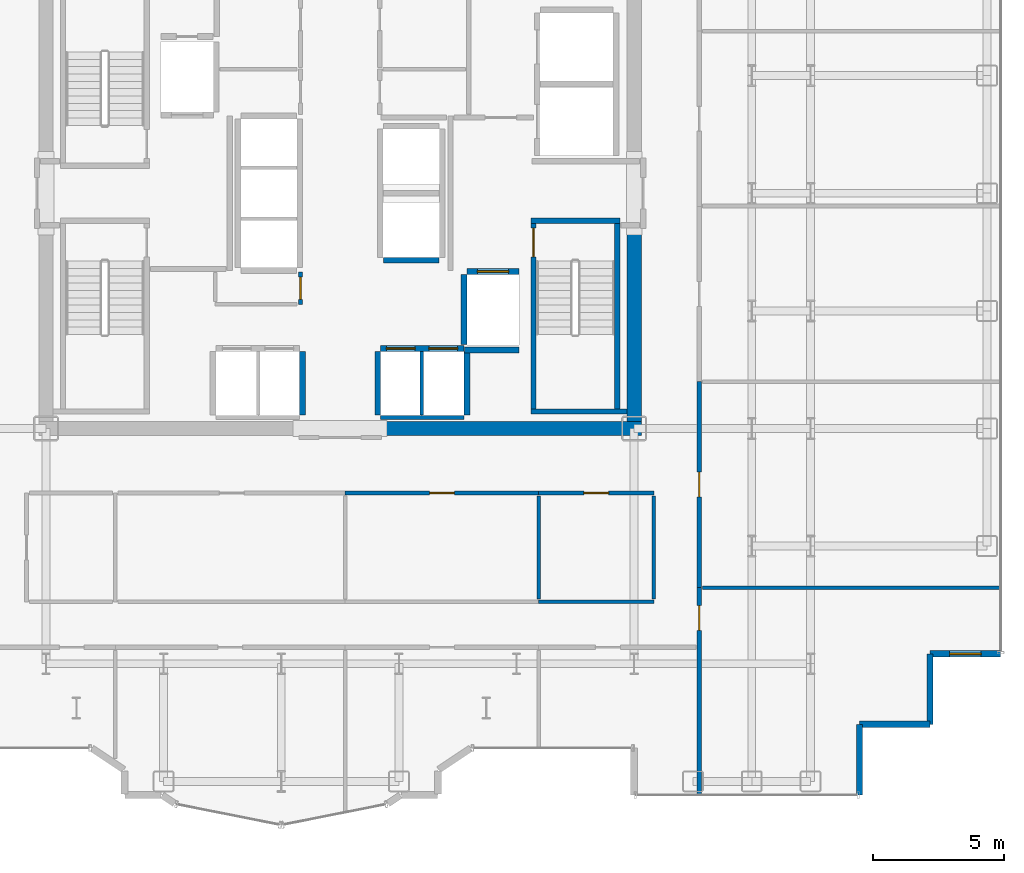
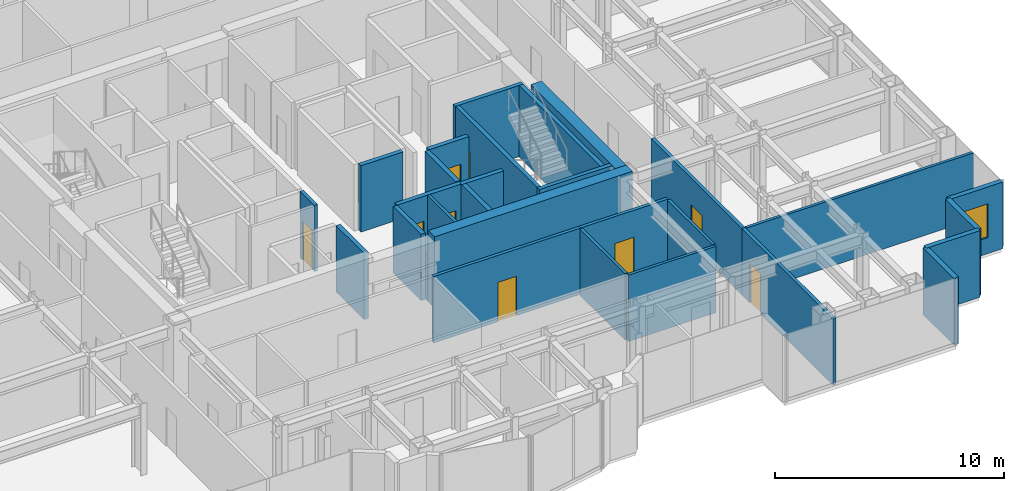
# One storey, part 19 of 23: 29 walls, 9 doors, 1 window, 10 openings.
"""IFC4 building model written with IfcOpenShell, lengths in metres."""

from ifc_helpers import new_model, si_unit, direction, frame, frame_2d, origin, place, context, subcontext, project, spatial, rectangle, extrude, source, transform, mapped, material, layer, layer_set, type_object, element, fill, save


model = new_model("IFC4")

# Units and contexts
model_context = context("Model", 3, precision=1e-05, world=origin(), true_north=direction((0.0, 1.0)))
body_context = subcontext(model_context, "Body", "Model", "MODEL_VIEW")
ifc_project = project(units=[si_unit("LENGTHUNIT", "METRE"), si_unit("AREAUNIT", "SQUARE_METRE"), si_unit("VOLUMEUNIT", "CUBIC_METRE"), si_unit("PLANEANGLEUNIT", "RADIAN"), si_unit("MASSUNIT", "GRAM", prefix="KILO")], contexts=[model_context])

# Site, building, storey
site_placement = place(None, origin())
site = spatial("IfcSite", under=ifc_project, at=site_placement, CompositionType="ELEMENT")
building_placement = place(site_placement, origin())
building = spatial("IfcBuilding", under=site, at=building_placement, Name="Nefas-Gora Pilgrimage Tower", CompositionType="ELEMENT")
storey_placement = place(building_placement, frame((0.0, 0.0, 167.800048828125)))
storey = spatial("IfcBuildingStorey", under=building, at=storey_placement, Name="L41", CompositionType="ELEMENT", Elevation=167.800048828125)

# Walls
ifc_material_1 = material(Name="Concrete C60/75", Category="concrete")
ifc_layer_1 = layer(ifc_material_1, 0.550048828125)
ifc_layer_set_1 = layer_set([ifc_layer_1], Name="Concrete C60/75")
wall_type_1 = type_object("IfcWallType", Name="SW-CORE-550", PredefinedType="SHEAR", material=ifc_layer_set_1)
shared_shape_1 = source(origin(), body_context, "Body", "SweptSolid", [
    extrude(rectangle(XDim=9.974853515625, YDim=0.550048828125, at=frame_2d((4.9873046875, 0.0))), origin(), (0.0, 0.0, 1.0), 3.800048828125),
])
wall_1_placement = place(storey_placement, frame((1.550048828125, -9.0, 0.0), z_axis=(0.0, 0.0, 1.0), x_axis=(1.0, 0.0, 0.0)))
element("IfcWall", 1, at=wall_1_placement, inside=storey, type_object=wall_type_1, Name="L41 Core Shear Wall S-East", PredefinedType="SHEAR", context=body_context, shape_type="MappedRepresentation", body=[
    mapped(shared_shape_1, transform((0.0, 0.0, 0.0), x_axis=(1.0, 0.0, 0.0), y_axis=(0.0, 1.0, 0.0), z_axis=(0.0, 0.0, 1.0), scale=1.0)),
])
shared_shape_2 = source(origin(), body_context, "Body", "SweptSolid", [
    extrude(rectangle(XDim=7.375, YDim=0.550048828125, at=frame_2d((3.6875, 0.0))), origin(), (0.0, 0.0, 1.0), 3.800048828125),
])
wall_2_placement = place(storey_placement, frame((11.25, -8.72509765625, 0.0), z_axis=(0.0, 0.0, 1.0), x_axis=(0.0, 1.0, 0.0)))
element("IfcWall", 2, at=wall_2_placement, inside=storey, type_object=wall_type_1, Name="L41 Core Shear Wall E-South", PredefinedType="SHEAR", context=body_context, shape_type="MappedRepresentation", body=[
    mapped(shared_shape_2, transform((0.0, 0.0, 0.0), x_axis=(1.0, 0.0, 0.0), y_axis=(0.0, 1.0, 0.0), z_axis=(0.0, 0.0, 1.0), scale=1.0)),
])
ifc_material_2 = material(Name="Precast concrete C45/55", Category="concrete")
ifc_layer_2 = layer(ifc_material_2, 0.239990234375)
ifc_layer_set_2 = layer_set([ifc_layer_2], Name="Precast concrete C45/55")
wall_type_2 = type_object("IfcWallType", Name="EW-SERR-240", PredefinedType="SHEAR", material=ifc_layer_set_2)
shared_shape_3 = source(origin(), body_context, "Body", "SweptSolid", [
    extrude(rectangle(XDim=2.699951171875, YDim=0.239990234375, at=frame_2d((1.35009765625, 0.0))), origin(), (0.0, 0.0, 1.0), 3.550048828125),
])
for number, where, z_axis, x_axis, name in (
    (3, (19.8701171875, -23.02001953125, 0.0), (0.0, 0.0, 1.0), (0.0, 1.0, 0.0), "L41 Serrated Corner Shear Pier Wall 2"),
    (4, (19.8701171875, -20.320068359375, 0.0), (0.0, 0.0, 1.0), (1.0, 0.0, 0.0), "L41 Serrated Corner Shear Pier Wall 3"),
    (5, (22.570068359375, -20.320068359375, 0.0), (0.0, 0.0, 1.0), (0.0, 1.0, 0.0), "L41 Serrated Corner Shear Pier Wall 4"),
):
    element("IfcWall", number, at=place(storey_placement, frame(where, z_axis=z_axis, x_axis=x_axis)), inside=storey, type_object=wall_type_2, Name=name, PredefinedType="SHEAR", context=body_context, shape_type="MappedRepresentation", body=[
        mapped(shared_shape_3, transform((0.0, 0.0, 0.0), x_axis=(1.0, 0.0, 0.0), y_axis=(0.0, 1.0, 0.0), z_axis=(0.0, 0.0, 1.0), scale=1.0)),
    ])

# Wall, opening, window
wall_3_placement = place(storey_placement, frame((22.570068359375, -17.6201171875, 0.0), z_axis=(0.0, 0.0, 1.0), x_axis=(1.0, 0.0, 0.0)))
wall_3 = element("IfcWall", 6, at=wall_3_placement, inside=storey, type_object=wall_type_2, Name="L41 Serrated Corner Shear Pier Wall 5", PredefinedType="SHEAR", context=body_context, shape_type="MappedRepresentation", body=[
    mapped(shared_shape_3, transform((0.0, 0.0, 0.0), x_axis=(1.0, 0.0, 0.0), y_axis=(0.0, 1.0, 0.0), z_axis=(0.0, 0.0, 1.0), scale=1.0)),
])
opening_1_placement = place(wall_3_placement, frame((0.75, 0.0, 0.85009765625)))
opening_1 = element("IfcOpeningElement", 7, at=opening_1_placement, cuts=wall_3, Name="Opening W-V1", PredefinedType="OPENING", context=body_context, shape_type="SweptSolid", body=[
    extrude(rectangle(XDim=1.199951171875, YDim=1.800048828125, at=frame_2d((0.60009765625, 0.89990234375))), frame((0.0, 0.1298828125, 0.0), z_axis=(0.0, -1.0, 0.0), x_axis=(1.0, 0.0, 0.0)), (0.0, 0.0, 1.0), 0.260009765625),
])
ifc_material_3 = material(Name="Dark ceramic-fritted operable aluminium-glass window", Category="aluminium")
window_type = type_object("IfcWindowType", Name="WIN-VENT-1200x1800", PartitioningType="SINGLE_PANEL", PredefinedType="WINDOW", material=ifc_material_3)
shared_shape_4 = source(origin(), body_context, "Body", "SweptSolid", [
    extrude(rectangle(XDim=1.199951171875, YDim=1.800048828125, at=frame_2d((0.60009765625, 0.89990234375))), frame((0.0, 0.030029296875, 0.0), z_axis=(0.0, -1.0, 0.0), x_axis=(1.0, 0.0, 0.0)), (0.0, 0.0, 1.0), 0.06005859375),
])
window_placement = place(opening_1_placement, origin())
window = element("IfcWindow", 8, at=window_placement, inside=storey, type_object=window_type, Name="L41 Operable Parallel-Outswing Window 5", OverallHeight=1.800048828125, OverallWidth=1.199951171875, PartitioningType="SINGLE_PANEL", PredefinedType="WINDOW", context=body_context, shape_type="MappedRepresentation", body=[
    mapped(shared_shape_4, transform((0.0, 0.0, 0.0), x_axis=(1.0, 0.0, 0.0), y_axis=(0.0, 1.0, 0.0), z_axis=(0.0, 0.0, 1.0), scale=1.0)),
])
fill(opening_1, window)

# Wall
ifc_material_4 = material(Name="Concrete C45/55", Category="concrete")
ifc_layer_3 = layer(ifc_material_4, 0.199951171875)
ifc_layer_set_3 = layer_set([ifc_layer_3], Name="Concrete C45/55")
wall_type_3 = type_object("IfcWallType", Name="IW-STAIR-200", PredefinedType="SOLIDWALL", material=ifc_layer_set_3)
shared_shape_5 = source(origin(), body_context, "Body", "SweptSolid", [
    extrude(rectangle(XDim=3.39990234375, YDim=0.199951171875, at=frame_2d((1.699951171875, 0.0))), origin(), (0.0, 0.0, 1.0), 3.800048828125),
])
wall_4_placement = place(storey_placement, frame((7.300048828125, -1.050048828125, 0.0), z_axis=(0.0, 0.0, 1.0), x_axis=(1.0, 0.0, 0.0)))
element("IfcWall", 9, at=wall_4_placement, inside=storey, type_object=wall_type_3, Name="L41 Stairwell Shear Wall ST-02-near", PredefinedType="SOLIDWALL", context=body_context, shape_type="MappedRepresentation", body=[
    mapped(shared_shape_5, transform((0.0, 0.0, 0.0), x_axis=(1.0, 0.0, 0.0), y_axis=(0.0, 1.0, 0.0), z_axis=(0.0, 0.0, 1.0), scale=1.0)),
])

# Wall, opening, door
shared_shape_6 = source(origin(), body_context, "Body", "SweptSolid", [
    extrude(rectangle(XDim=7.10009765625, YDim=0.199951171875, at=frame_2d((3.550048828125, 0.0))), origin(), (0.0, 0.0, 1.0), 3.800048828125),
])
wall_5_placement = place(storey_placement, frame((7.39990234375, -1.14990234375, 0.0), z_axis=(0.0, 0.0, 1.0), x_axis=(0.0, -1.0, 0.0)))
wall_5 = element("IfcWall", 10, at=wall_5_placement, inside=storey, type_object=wall_type_3, Name="L41 Stairwell Shear Wall ST-02-left", PredefinedType="SOLIDWALL", context=body_context, shape_type="MappedRepresentation", body=[
    mapped(shared_shape_6, transform((0.0, 0.0, 0.0), x_axis=(1.0, 0.0, 0.0), y_axis=(0.0, 1.0, 0.0), z_axis=(0.0, 0.0, 1.0), scale=1.0)),
])
opening_2_placement = place(wall_5_placement, frame((0.179931640625, 0.0, 0.0)))
opening_2 = element("IfcOpeningElement", 11, at=opening_2_placement, cuts=wall_5, Name="Opening ID-ST1", PredefinedType="OPENING", context=body_context, shape_type="SweptSolid", body=[
    extrude(rectangle(XDim=1.10009765625, YDim=2.14990234375, at=frame_2d((0.550048828125, 1.074951171875))), frame((0.0, 0.10986328125, 0.0), z_axis=(0.0, -1.0, 0.0), x_axis=(1.0, 0.0, 0.0)), (0.0, 0.0, 1.0), 0.219970703125),
])
ifc_material_5 = material(Name="Painted galvanised steel fire stair door", Category="steel")
door_type_1 = type_object("IfcDoorType", Name="DR-INT-STAIR-1100", OperationType="NOTDEFINED", PredefinedType="DOOR", material=ifc_material_5)
shared_shape_7 = source(origin(), body_context, "Body", "SweptSolid", [
    extrude(rectangle(XDim=1.10009765625, YDim=2.14990234375, at=frame_2d((0.550048828125, 1.074951171875))), frame((0.0, 0.02490234375, 0.0), z_axis=(0.0, -1.0, 0.0), x_axis=(1.0, 0.0, 0.0)), (0.0, 0.0, 1.0), 0.050048828125),
])
door_1_placement = place(opening_2_placement, origin())
door_1 = element("IfcDoor", 12, at=door_1_placement, inside=storey, type_object=door_type_1, Name="L41 Protected Exit Stair Door ST-02", OperationType="SINGLE_SWING_RIGHT", OverallHeight=2.14990234375, OverallWidth=1.10009765625, PredefinedType="DOOR", context=body_context, shape_type="MappedRepresentation", body=[
    mapped(shared_shape_7, transform((0.0, 0.0, 0.0), x_axis=(1.0, 0.0, 0.0), y_axis=(0.0, 1.0, 0.0), z_axis=(0.0, 0.0, 1.0), scale=1.0)),
])
fill(opening_2, door_1)

# Walls
wall_6_placement = place(storey_placement, frame((10.60009765625, -1.14990234375, 0.0), z_axis=(0.0, 0.0, 1.0), x_axis=(0.0, -1.0, 0.0)))
element("IfcWall", 13, at=wall_6_placement, inside=storey, type_object=wall_type_3, Name="L41 Stairwell Shear Wall ST-02-right", PredefinedType="SOLIDWALL", context=body_context, shape_type="MappedRepresentation", body=[
    mapped(shared_shape_6, transform((0.0, 0.0, 0.0), x_axis=(1.0, 0.0, 0.0), y_axis=(0.0, 1.0, 0.0), z_axis=(0.0, 0.0, 1.0), scale=1.0)),
])
shared_shape_8 = source(origin(), body_context, "Body", "SweptSolid", [
    extrude(rectangle(XDim=3.679931640625, YDim=0.199951171875, at=frame_2d((1.83984375, 0.0))), origin(), (0.0, 0.0, 1.0), 3.800048828125),
])
wall_7_placement = place(storey_placement, frame((7.300048828125, -8.35009765625, 0.0), z_axis=(0.0, 0.0, 1.0), x_axis=(1.0, 0.0, 0.0)))
element("IfcWall", 14, at=wall_7_placement, inside=storey, type_object=wall_type_3, Name="L41 Stairwell Shear Wall ST-02-far", PredefinedType="SOLIDWALL", context=body_context, shape_type="MappedRepresentation", body=[
    mapped(shared_shape_8, transform((0.0, 0.0, 0.0), x_axis=(1.0, 0.0, 0.0), y_axis=(0.0, 1.0, 0.0), z_axis=(0.0, 0.0, 1.0), scale=1.0)),
])

# Wall, opening, door
ifc_material_6 = material(Name="Concrete C40/50", Category="concrete")
ifc_layer_4 = layer(ifc_material_6, 0.219970703125)
ifc_layer_set_4 = layer_set([ifc_layer_4], Name="Concrete C40/50")
wall_type_4 = type_object("IfcWallType", Name="IW-SHAFT-220", PredefinedType="SOLIDWALL", material=ifc_layer_set_4)
shared_shape_9 = source(origin(), body_context, "Body", "SweptSolid", [
    extrude(rectangle(XDim=2.0, YDim=0.219970703125, at=frame_2d((1.0, 0.0))), origin(), (0.0, 0.0, 1.0), 3.534912109375),
])
wall_8_placement = place(storey_placement, frame((6.85009765625, -2.989990234375, 0.0), z_axis=(0.0, 0.0, 1.0), x_axis=(-1.0, 0.0, 0.0)))
wall_8 = element("IfcWall", 15, at=wall_8_placement, inside=storey, type_object=wall_type_4, Name="L41 Hoistway Wall FFL-02-N", PredefinedType="SOLIDWALL", context=body_context, shape_type="MappedRepresentation", body=[
    mapped(shared_shape_9, transform((0.0, 0.0, 0.0), x_axis=(1.0, 0.0, 0.0), y_axis=(0.0, 1.0, 0.0), z_axis=(0.0, 0.0, 1.0), scale=1.0)),
])
opening_3_placement = place(wall_8_placement, frame((0.39990234375, 0.0, 0.0)))
opening_3 = element("IfcOpeningElement", 16, at=opening_3_placement, cuts=wall_8, Name="Opening LD-FF", PredefinedType="OPENING", context=body_context, shape_type="SweptSolid", body=[
    extrude(rectangle(XDim=1.199951171875, YDim=2.199951171875, at=frame_2d((0.60009765625, 1.10009765625))), frame((0.0, 0.119873046875, 0.0), z_axis=(0.0, -1.0, 0.0), x_axis=(1.0, 0.0, 0.0)), (0.0, 0.0, 1.0), 0.239990234375),
])
ifc_material_7 = material(Name="Fire-service sliding lift landing door")
door_type_2 = type_object("IfcDoorType", Name="DR-LIFT-FSAE-1200", OperationType="SLIDING_TO_LEFT", PredefinedType="DOOR", material=ifc_material_7)
shared_shape_10 = source(origin(), body_context, "Body", "SweptSolid", [
    extrude(rectangle(XDim=1.199951171875, YDim=2.199951171875, at=frame_2d((0.60009765625, 1.10009765625))), frame((0.0, 0.02490234375, 0.0), z_axis=(0.0, -1.0, 0.0), x_axis=(1.0, 0.0, 0.0)), (0.0, 0.0, 1.0), 0.050048828125),
])
door_2_placement = place(opening_3_placement, origin())
door_2 = element("IfcDoor", 17, at=door_2_placement, inside=storey, type_object=door_type_2, Name="L41 Sliding Lift Landing Door FFL-02", OperationType="SLIDING_TO_LEFT", OverallHeight=2.199951171875, OverallWidth=1.199951171875, PredefinedType="DOOR", context=body_context, shape_type="MappedRepresentation", body=[
    mapped(shared_shape_10, transform((0.0, 0.0, 0.0), x_axis=(1.0, 0.0, 0.0), y_axis=(0.0, 1.0, 0.0), z_axis=(0.0, 0.0, 1.0), scale=1.0)),
])
fill(opening_3, door_2)

# Wall
shared_shape_11 = source(origin(), body_context, "Body", "SweptSolid", [
    extrude(rectangle(XDim=2.679931640625, YDim=0.219970703125, at=frame_2d((1.33984375, 0.0))), origin(), (0.0, 0.0, 1.0), 3.534912109375),
])
wall_9_placement = place(storey_placement, frame((4.739990234375, -3.110107421875, 0.0), z_axis=(0.0, 0.0, 1.0), x_axis=(0.0, -1.0, 0.0)))
element("IfcWall", 18, at=wall_9_placement, inside=storey, type_object=wall_type_4, Name="L41 Hoistway Wall FFL-02-W", PredefinedType="SOLIDWALL", context=body_context, shape_type="MappedRepresentation", body=[
    mapped(shared_shape_11, transform((0.0, 0.0, 0.0), x_axis=(1.0, 0.0, 0.0), y_axis=(0.0, 1.0, 0.0), z_axis=(0.0, 0.0, 1.0), scale=1.0)),
])

# Wall, openings, doors
shared_shape_12 = source(origin(), body_context, "Body", "SweptSolid", [
    extrude(rectangle(XDim=3.199951171875, YDim=0.219970703125, at=frame_2d((1.60009765625, 0.0))), origin(), (0.0, 0.0, 1.0), 3.534912109375),
])
wall_10_placement = place(storey_placement, frame((4.75, -5.93994140625, 0.0), z_axis=(0.0, 0.0, 1.0), x_axis=(-1.0, 0.0, 0.0)))
wall_10 = element("IfcWall", 19, at=wall_10_placement, inside=storey, type_object=wall_type_4, Name="L41 Hoistway Wall PL2-E-N", PredefinedType="SOLIDWALL", context=body_context, shape_type="MappedRepresentation", body=[
    mapped(shared_shape_12, transform((0.0, 0.0, 0.0), x_axis=(1.0, 0.0, 0.0), y_axis=(0.0, 1.0, 0.0), z_axis=(0.0, 0.0, 1.0), scale=1.0)),
])
opening_4_placement = place(wall_10_placement, frame((1.875, 0.0, 0.0)))
opening_4 = element("IfcOpeningElement", 20, at=opening_4_placement, cuts=wall_10, Name="Opening LD-01", PredefinedType="OPENING", context=body_context, shape_type="SweptSolid", body=[
    extrude(rectangle(XDim=1.10009765625, YDim=2.199951171875, at=frame_2d((0.550048828125, 1.10009765625))), frame((0.0, 0.119873046875, 0.0), z_axis=(0.0, -1.0, 0.0), x_axis=(1.0, 0.0, 0.0)), (0.0, 0.0, 1.0), 0.239990234375),
])
opening_5_placement = place(wall_10_placement, frame((0.25, 0.0, 0.0)))
opening_5 = element("IfcOpeningElement", 21, at=opening_5_placement, cuts=wall_10, Name="Opening LD-01", PredefinedType="OPENING", context=body_context, shape_type="SweptSolid", body=[
    extrude(rectangle(XDim=1.10009765625, YDim=2.199951171875, at=frame_2d((0.550048828125, 1.10009765625))), frame((0.0, 0.119873046875, 0.0), z_axis=(0.0, -1.0, 0.0), x_axis=(1.0, 0.0, 0.0)), (0.0, 0.0, 1.0), 0.239990234375),
])
ifc_material_8 = material(Name="Brushed stainless sliding lift landing door")
door_type_3 = type_object("IfcDoorType", Name="DR-LIFT-PASS-1100", OperationType="DOUBLE_DOOR_SLIDING", PredefinedType="DOOR", material=ifc_material_8)
shared_shape_13 = source(origin(), body_context, "Body", "SweptSolid", [
    extrude(rectangle(XDim=1.10009765625, YDim=2.199951171875, at=frame_2d((0.550048828125, 1.10009765625))), frame((0.0, 0.02490234375, 0.0), z_axis=(0.0, -1.0, 0.0), x_axis=(1.0, 0.0, 0.0)), (0.0, 0.0, 1.0), 0.050048828125),
])
door_3_placement = place(opening_4_placement, origin())
door_3 = element("IfcDoor", 22, at=door_3_placement, inside=storey, type_object=door_type_3, Name="L41 Sliding Lift Landing Door PL2-03", OperationType="DOUBLE_DOOR_SLIDING", OverallHeight=2.199951171875, OverallWidth=1.10009765625, PredefinedType="DOOR", context=body_context, shape_type="MappedRepresentation", body=[
    mapped(shared_shape_13, transform((0.0, 0.0, 0.0), x_axis=(1.0, 0.0, 0.0), y_axis=(0.0, 1.0, 0.0), z_axis=(0.0, 0.0, 1.0), scale=1.0)),
])
fill(opening_4, door_3)
door_4_placement = place(opening_5_placement, origin())
door_4 = element("IfcDoor", 23, at=door_4_placement, inside=storey, type_object=door_type_3, Name="L41 Sliding Lift Landing Door PL2-04", OperationType="DOUBLE_DOOR_SLIDING", OverallHeight=2.199951171875, OverallWidth=1.10009765625, PredefinedType="DOOR", context=body_context, shape_type="MappedRepresentation", body=[
    mapped(shared_shape_13, transform((0.0, 0.0, 0.0), x_axis=(1.0, 0.0, 0.0), y_axis=(0.0, 1.0, 0.0), z_axis=(0.0, 0.0, 1.0), scale=1.0)),
])
fill(opening_5, door_4)

# Walls
ifc_material_9 = material(Name="Gypsum acoustic stud partition")
ifc_layer_5 = layer(ifc_material_9, 0.159912109375)
ifc_layer_set_5 = layer_set([ifc_layer_5], Name="Gypsum acoustic stud partition")
wall_type_5 = type_object("IfcWallType", Name="IW-CORR-160", PredefinedType="PARTITIONING", material=ifc_layer_set_5)
shared_shape_14 = source(origin(), body_context, "Body", "SweptSolid", [
    extrude(rectangle(XDim=3.199951171875, YDim=0.159912109375, at=frame_2d((1.60009765625, 0.0))), origin(), (0.0, 0.0, 1.0), 2.425048828125),
])
wall_11_placement = place(storey_placement, frame((1.550048828125, -8.580078125, 0.0), z_axis=(0.0, 0.0, 1.0), x_axis=(1.0, 0.0, 0.0)))
element("IfcWall", 24, at=wall_11_placement, inside=storey, type_object=wall_type_5, Name="L41 Hoistway Wall PL2-E-S", PredefinedType="PARTITIONING", context=body_context, shape_type="MappedRepresentation", body=[
    mapped(shared_shape_14, transform((0.0, 0.0, 0.0), x_axis=(1.0, 0.0, 0.0), y_axis=(0.0, 1.0, 0.0), z_axis=(0.0, 0.0, 1.0), scale=1.0)),
])
shared_shape_15 = source(origin(), body_context, "Body", "SweptSolid", [
    extrude(rectangle(XDim=2.429931640625, YDim=0.219970703125, at=frame_2d((1.21484375, 0.0))), origin(), (0.0, 0.0, 1.0), 3.534912109375),
])
for number, where, z_axis, x_axis, name in (
    (25, (-1.43994140625, -8.489990234375, 0.0), (0.0, 0.0, 1.0), (0.0, 1.0, 0.0), "L41 Hoistway Wall PL2-W-E"),
    (26, (1.43994140625, -6.06005859375, 0.0), (0.0, 0.0, 1.0), (0.0, -1.0, 0.0), "L41 Hoistway Wall PL2-E-W"),
    (27, (4.860107421875, -8.489990234375, 0.0), (0.0, 0.0, 1.0), (0.0, 1.0, 0.0), "L41 Hoistway Wall PL2-E-E"),
):
    element("IfcWall", number, at=place(storey_placement, frame(where, z_axis=z_axis, x_axis=x_axis)), inside=storey, type_object=wall_type_4, Name=name, PredefinedType="SOLIDWALL", context=body_context, shape_type="MappedRepresentation", body=[
        mapped(shared_shape_15, transform((0.0, 0.0, 0.0), x_axis=(1.0, 0.0, 0.0), y_axis=(0.0, 1.0, 0.0), z_axis=(0.0, 0.0, 1.0), scale=1.0)),
    ])
ifc_material_10 = material(Name="Gypsum twin-stud partition")
ifc_layer_6 = layer(ifc_material_10, 0.139892578125)
ifc_layer_set_6 = layer_set([ifc_layer_6], Name="Gypsum twin-stud partition")
wall_type_6 = type_object("IfcWallType", Name="IW-UNIT-140", PredefinedType="PARTITIONING", material=ifc_layer_set_6)
shared_shape_16 = source(origin(), body_context, "Body", "SweptSolid", [
    extrude(rectangle(XDim=2.429931640625, YDim=0.139892578125, at=frame_2d((1.21484375, 0.0))), origin(), (0.0, 0.0, 1.0), 3.534912109375),
])
wall_12_placement = place(storey_placement, frame((3.125, -8.489990234375, 0.0), z_axis=(0.0, 0.0, 1.0), x_axis=(0.0, 1.0, 0.0)))
element("IfcWall", 28, at=wall_12_placement, inside=storey, type_object=wall_type_6, Name="L41 Hoistway Wall PL2-E-DIV", PredefinedType="PARTITIONING", context=body_context, shape_type="MappedRepresentation", body=[
    mapped(shared_shape_16, transform((0.0, 0.0, 0.0), x_axis=(1.0, 0.0, 0.0), y_axis=(0.0, 1.0, 0.0), z_axis=(0.0, 0.0, 1.0), scale=1.0)),
])
shared_shape_17 = source(origin(), body_context, "Body", "SweptSolid", [
    extrude(rectangle(XDim=2.130126953125, YDim=0.219970703125, at=frame_2d((1.06494140625, 0.0))), origin(), (0.0, 0.0, 1.0), 3.534912109375),
])
wall_13_placement = place(storey_placement, frame((1.659912109375, -2.56005859375, 0.0), z_axis=(0.0, 0.0, 1.0), x_axis=(1.0, 0.0, 0.0)))
element("IfcWall", 29, at=wall_13_placement, inside=storey, type_object=wall_type_4, Name="L41 Hoistway Wall OBS-01-S", PredefinedType="SOLIDWALL", context=body_context, shape_type="MappedRepresentation", body=[
    mapped(shared_shape_17, transform((0.0, 0.0, 0.0), x_axis=(1.0, 0.0, 0.0), y_axis=(0.0, 1.0, 0.0), z_axis=(0.0, 0.0, 1.0), scale=1.0)),
])
shared_shape_18 = source(origin(), body_context, "Body", "SweptSolid", [
    extrude(rectangle(XDim=2.09521484375, YDim=0.219970703125, at=frame_2d((1.047607421875, 0.0))), origin(), (0.0, 0.0, 1.0), 3.534912109375),
])
wall_14_placement = place(storey_placement, frame((4.7548828125, -6.0, 0.0), z_axis=(0.0, 0.0, 1.0), x_axis=(1.0, 0.0, 0.0)))
element("IfcWall", 30, at=wall_14_placement, inside=storey, type_object=wall_type_4, Name="L41 Riser Shaft Wall 3", PredefinedType="SOLIDWALL", context=body_context, shape_type="MappedRepresentation", body=[
    mapped(shared_shape_18, transform((0.0, 0.0, 0.0), x_axis=(1.0, 0.0, 0.0), y_axis=(0.0, 1.0, 0.0), z_axis=(0.0, 0.0, 1.0), scale=1.0)),
])

# Wall, opening, door
shared_shape_19 = source(origin(), body_context, "Body", "SweptSolid", [
    extrude(rectangle(XDim=1.25, YDim=0.159912109375, at=frame_2d((0.625, 0.0))), origin(), (0.0, 0.0, 1.0), 3.534912109375),
])
wall_15_placement = place(storey_placement, frame((-1.52001953125, -4.260009765625, 0.0), z_axis=(0.0, 0.0, 1.0), x_axis=(0.0, 1.0, 0.0)))
wall_15 = element("IfcWall", 31, at=wall_15_placement, inside=storey, type_object=wall_type_5, Name="L41 Guest Self-Service Laundry Room Wall 26", PredefinedType="PARTITIONING", context=body_context, shape_type="MappedRepresentation", body=[
    mapped(shared_shape_19, transform((0.0, 0.0, 0.0), x_axis=(1.0, 0.0, 0.0), y_axis=(0.0, 1.0, 0.0), z_axis=(0.0, 0.0, 1.0), scale=1.0)),
])
opening_6_placement = place(wall_15_placement, frame((0.199951171875, 0.0, 0.0)))
opening_6 = element("IfcOpeningElement", 32, at=opening_6_placement, cuts=wall_15, Name="Opening ID-BT1", PredefinedType="OPENING", context=body_context, shape_type="SweptSolid", body=[
    extrude(rectangle(XDim=0.85009765625, YDim=2.10009765625, at=frame_2d((0.425048828125, 1.050048828125))), frame((0.0, 0.08984375, 0.0), z_axis=(0.0, -1.0, 0.0), x_axis=(1.0, 0.0, 0.0)), (0.0, 0.0, 1.0), 0.179931640625),
])
ifc_material_11 = material(Name="Moisture-resistant fire-rated timber door", Category="wood")
door_type_4 = type_object("IfcDoorType", Name="DR-INT-BATH-850", OperationType="NOTDEFINED", PredefinedType="DOOR", material=ifc_material_11)
shared_shape_20 = source(origin(), body_context, "Body", "SweptSolid", [
    extrude(rectangle(XDim=0.85009765625, YDim=2.10009765625, at=frame_2d((0.425048828125, 1.050048828125))), frame((0.0, 0.02490234375, 0.0), z_axis=(0.0, -1.0, 0.0), x_axis=(1.0, 0.0, 0.0)), (0.0, 0.0, 1.0), 0.050048828125),
])
door_5_placement = place(opening_6_placement, origin())
door_5 = element("IfcDoor", 33, at=door_5_placement, inside=storey, type_object=door_type_4, Name="L41 Guest Self-Service Laundry Room Door 11", OperationType="SINGLE_SWING_RIGHT", OverallHeight=2.10009765625, OverallWidth=0.85009765625, PredefinedType="DOOR", context=body_context, shape_type="MappedRepresentation", body=[
    mapped(shared_shape_20, transform((0.0, 0.0, 0.0), x_axis=(1.0, 0.0, 0.0), y_axis=(0.0, 1.0, 0.0), z_axis=(0.0, 0.0, 1.0), scale=1.0)),
])
fill(opening_6, door_5)

# Walls
shared_shape_21 = source(origin(), body_context, "Body", "SweptSolid", [
    extrude(rectangle(XDim=11.429931640625, YDim=0.139892578125, at=frame_2d((5.71484375, 0.0))), origin(), (0.0, 0.0, 1.0), 3.534912109375),
])
wall_16_placement = place(storey_placement, frame((13.860107421875, -15.097412109375, 0.0), z_axis=(0.0, 0.0, 1.0), x_axis=(1.0, 0.0, 0.0)))
element("IfcWall", 34, at=wall_16_placement, inside=storey, type_object=wall_type_6, Name="L41 Pilgrim Contemplative Lounge Partition Wall 42", PredefinedType="PARTITIONING", context=body_context, shape_type="MappedRepresentation", body=[
    mapped(shared_shape_21, transform((0.0, 0.0, 0.0), x_axis=(1.0, 0.0, 0.0), y_axis=(0.0, 1.0, 0.0), z_axis=(0.0, 0.0, 1.0), scale=1.0)),
])
shared_shape_22 = source(origin(), body_context, "Body", "SweptSolid", [
    extrude(rectangle(XDim=3.929931640625, YDim=0.139892578125, at=frame_2d((1.96484375, 0.0))), origin(), (0.0, 0.0, 1.0), 3.534912109375),
])
for number, where, z_axis, x_axis, name in (
    (35, (7.594970703125, -15.52001953125, 0.0), (0.0, 0.0, 1.0), (0.0, 1.0, 0.0), "L41 Pilgrim Contemplative Lounge Partition Wall 83"),
    (36, (12.0, -15.52001953125, 0.0), (0.0, 0.0, 1.0), (0.0, 1.0, 0.0), "L41 Pilgrim Contemplative Lounge Partition Wall 87"),
):
    element("IfcWall", number, at=place(storey_placement, frame(where, z_axis=z_axis, x_axis=x_axis)), inside=storey, type_object=wall_type_6, Name=name, PredefinedType="PARTITIONING", context=body_context, shape_type="MappedRepresentation", body=[
        mapped(shared_shape_22, transform((0.0, 0.0, 0.0), x_axis=(1.0, 0.0, 0.0), y_axis=(0.0, 1.0, 0.0), z_axis=(0.0, 0.0, 1.0), scale=1.0)),
    ])

# Wall, opening, door
shared_shape_23 = source(origin(), body_context, "Body", "SweptSolid", [
    extrude(rectangle(XDim=7.409912109375, YDim=0.159912109375, at=frame_2d((3.705078125, 0.0))), origin(), (0.0, 0.0, 1.0), 3.534912109375),
])
wall_17_placement = place(storey_placement, frame((0.195068359375, -11.469970703125, 0.0), z_axis=(0.0, 0.0, 1.0), x_axis=(1.0, 0.0, 0.0)))
wall_17 = element("IfcWall", 37, at=wall_17_placement, inside=storey, type_object=wall_type_5, Name="L41 Pilgrim Contemplative Lounge Partition Wall 81", PredefinedType="PARTITIONING", context=body_context, shape_type="MappedRepresentation", body=[
    mapped(shared_shape_23, transform((0.0, 0.0, 0.0), x_axis=(1.0, 0.0, 0.0), y_axis=(0.0, 1.0, 0.0), z_axis=(0.0, 0.0, 1.0), scale=1.0)),
])
opening_7_placement = place(wall_17_placement, frame((3.22998046875, 0.0, 0.0)))
opening_7 = element("IfcOpeningElement", 38, at=opening_7_placement, cuts=wall_17, Name="Opening ID-GR1", PredefinedType="OPENING", context=body_context, shape_type="SweptSolid", body=[
    extrude(rectangle(XDim=0.949951171875, YDim=2.10009765625, at=frame_2d((0.47509765625, 1.050048828125))), frame((0.0, 0.08984375, 0.0), z_axis=(0.0, -1.0, 0.0), x_axis=(1.0, 0.0, 0.0)), (0.0, 0.0, 1.0), 0.179931640625),
])
ifc_material_12 = material(Name="Solid core oak fire-rated guest entrance door")
door_type_5 = type_object("IfcDoorType", Name="DR-INT-GUEST-950", OperationType="NOTDEFINED", PredefinedType="DOOR", material=ifc_material_12)
shared_shape_24 = source(origin(), body_context, "Body", "SweptSolid", [
    extrude(rectangle(XDim=0.949951171875, YDim=2.10009765625, at=frame_2d((0.47509765625, 1.050048828125))), frame((0.0, 0.02490234375, 0.0), z_axis=(0.0, -1.0, 0.0), x_axis=(1.0, 0.0, 0.0)), (0.0, 0.0, 1.0), 0.050048828125),
])
door_6_placement = place(opening_7_placement, origin())
door_6 = element("IfcDoor", 39, at=door_6_placement, inside=storey, type_object=door_type_5, Name="L41 Pilgrim Contemplative Lounge Door 36", OperationType="SINGLE_SWING_LEFT", OverallHeight=2.10009765625, OverallWidth=0.949951171875, PredefinedType="DOOR", context=body_context, shape_type="MappedRepresentation", body=[
    mapped(shared_shape_24, transform((0.0, 0.0, 0.0), x_axis=(1.0, 0.0, 0.0), y_axis=(0.0, 1.0, 0.0), z_axis=(0.0, 0.0, 1.0), scale=1.0)),
])
fill(opening_7, door_6)

shared_shape_25 = source(origin(), body_context, "Body", "SweptSolid", [
    extrude(rectangle(XDim=7.95263671875, YDim=0.159912109375, at=frame_2d((3.976318359375, 0.0))), origin(), (0.0, 0.0, 1.0), 3.534912109375),
])
wall_18_placement = place(storey_placement, frame((13.739990234375, -23.0400390625, 0.0), z_axis=(0.0, 0.0, 1.0), x_axis=(0.0, 1.0, 0.0)))
wall_18 = element("IfcWall", 40, at=wall_18_placement, inside=storey, type_object=wall_type_5, Name="L41 Pilgrim Contemplative Lounge Partition Wall 41", PredefinedType="PARTITIONING", context=body_context, shape_type="MappedRepresentation", body=[
    mapped(shared_shape_25, transform((0.0, 0.0, 0.0), x_axis=(1.0, 0.0, 0.0), y_axis=(0.0, 1.0, 0.0), z_axis=(0.0, 0.0, 1.0), scale=1.0)),
])
opening_8_placement = place(wall_18_placement, frame((6.316162109375, 0.0, 0.0)))
opening_8 = element("IfcOpeningElement", 41, at=opening_8_placement, cuts=wall_18, Name="Opening ID-GR1", PredefinedType="OPENING", context=body_context, shape_type="SweptSolid", body=[
    extrude(rectangle(XDim=0.949951171875, YDim=2.10009765625, at=frame_2d((0.47509765625, 1.050048828125))), frame((0.0, 0.08984375, 0.0), z_axis=(0.0, -1.0, 0.0), x_axis=(1.0, 0.0, 0.0)), (0.0, 0.0, 1.0), 0.179931640625),
])
door_7_placement = place(opening_8_placement, origin())
door_7 = element("IfcDoor", 42, at=door_7_placement, inside=storey, type_object=door_type_5, Name="L41 Pilgrim Contemplative Lounge Door 18", OperationType="SINGLE_SWING_LEFT", OverallHeight=2.10009765625, OverallWidth=0.949951171875, PredefinedType="DOOR", context=body_context, shape_type="MappedRepresentation", body=[
    mapped(shared_shape_24, transform((0.0, 0.0, 0.0), x_axis=(1.0, 0.0, 0.0), y_axis=(0.0, 1.0, 0.0), z_axis=(0.0, 0.0, 1.0), scale=1.0)),
])
fill(opening_8, door_7)

shared_shape_26 = source(origin(), body_context, "Body", "SweptSolid", [
    extrude(rectangle(XDim=7.892333984375, YDim=0.159912109375, at=frame_2d((3.9462890625, 0.0))), origin(), (0.0, 0.0, 1.0), 3.534912109375),
])
wall_19_placement = place(storey_placement, frame((13.739990234375, -15.08740234375, 0.0), z_axis=(0.0, 0.0, 1.0), x_axis=(0.0, 1.0, 0.0)))
wall_19 = element("IfcWall", 43, at=wall_19_placement, inside=storey, type_object=wall_type_5, Name="L41 Pilgrim Contemplative Lounge Partition Wall 43", PredefinedType="PARTITIONING", context=body_context, shape_type="MappedRepresentation", body=[
    mapped(shared_shape_26, transform((0.0, 0.0, 0.0), x_axis=(1.0, 0.0, 0.0), y_axis=(0.0, 1.0, 0.0), z_axis=(0.0, 0.0, 1.0), scale=1.0)),
])
opening_9_placement = place(wall_19_placement, frame((3.47119140625, 0.0, 0.0)))
opening_9 = element("IfcOpeningElement", 44, at=opening_9_placement, cuts=wall_19, Name="Opening ID-GR1", PredefinedType="OPENING", context=body_context, shape_type="SweptSolid", body=[
    extrude(rectangle(XDim=0.949951171875, YDim=2.10009765625, at=frame_2d((0.47509765625, 1.050048828125))), frame((0.0, 0.08984375, 0.0), z_axis=(0.0, -1.0, 0.0), x_axis=(1.0, 0.0, 0.0)), (0.0, 0.0, 1.0), 0.179931640625),
])
door_8_placement = place(opening_9_placement, origin())
door_8 = element("IfcDoor", 45, at=door_8_placement, inside=storey, type_object=door_type_5, Name="L41 Pilgrim Contemplative Lounge Door 19", OperationType="SINGLE_SWING_RIGHT", OverallHeight=2.10009765625, OverallWidth=0.949951171875, PredefinedType="DOOR", context=body_context, shape_type="MappedRepresentation", body=[
    mapped(shared_shape_24, transform((0.0, 0.0, 0.0), x_axis=(1.0, 0.0, 0.0), y_axis=(0.0, 1.0, 0.0), z_axis=(0.0, 0.0, 1.0), scale=1.0)),
])
fill(opening_9, door_8)

shared_shape_27 = source(origin(), body_context, "Body", "SweptSolid", [
    extrude(rectangle(XDim=4.4150390625, YDim=0.159912109375, at=frame_2d((2.20751953125, 0.0))), origin(), (0.0, 0.0, 1.0), 3.534912109375),
])
wall_20_placement = place(storey_placement, frame((7.594970703125, -11.469970703125, 0.0), z_axis=(0.0, 0.0, 1.0), x_axis=(1.0, 0.0, 0.0)))
wall_20 = element("IfcWall", 46, at=wall_20_placement, inside=storey, type_object=wall_type_5, Name="L41 Pilgrim Contemplative Lounge Partition Wall 85", PredefinedType="PARTITIONING", context=body_context, shape_type="MappedRepresentation", body=[
    mapped(shared_shape_27, transform((0.0, 0.0, 0.0), x_axis=(1.0, 0.0, 0.0), y_axis=(0.0, 1.0, 0.0), z_axis=(0.0, 0.0, 1.0), scale=1.0)),
])
opening_10_placement = place(wall_20_placement, frame((1.732421875, 0.0, 0.0)))
opening_10 = element("IfcOpeningElement", 47, at=opening_10_placement, cuts=wall_20, Name="Opening ID-GR1", PredefinedType="OPENING", context=body_context, shape_type="SweptSolid", body=[
    extrude(rectangle(XDim=0.949951171875, YDim=2.10009765625, at=frame_2d((0.47509765625, 1.050048828125))), frame((0.0, 0.08984375, 0.0), z_axis=(0.0, -1.0, 0.0), x_axis=(1.0, 0.0, 0.0)), (0.0, 0.0, 1.0), 0.179931640625),
])
door_9_placement = place(opening_10_placement, origin())
door_9 = element("IfcDoor", 48, at=door_9_placement, inside=storey, type_object=door_type_5, Name="L41 Pilgrim Contemplative Lounge Door 38", OperationType="SINGLE_SWING_LEFT", OverallHeight=2.10009765625, OverallWidth=0.949951171875, PredefinedType="DOOR", context=body_context, shape_type="MappedRepresentation", body=[
    mapped(shared_shape_24, transform((0.0, 0.0, 0.0), x_axis=(1.0, 0.0, 0.0), y_axis=(0.0, 1.0, 0.0), z_axis=(0.0, 0.0, 1.0), scale=1.0)),
])
fill(opening_10, door_9)

# Wall
shared_shape_28 = source(origin(), body_context, "Body", "SweptSolid", [
    extrude(rectangle(XDim=4.4150390625, YDim=0.139892578125, at=frame_2d((2.20751953125, 0.0))), origin(), (0.0, 0.0, 1.0), 3.534912109375),
])
wall_21_placement = place(storey_placement, frame((7.594970703125, -15.6298828125, 0.0), z_axis=(0.0, 0.0, 1.0), x_axis=(1.0, 0.0, 0.0)))
element("IfcWall", 49, at=wall_21_placement, inside=storey, type_object=wall_type_6, Name="L41 Pilgrim Contemplative Lounge Partition Wall 86", PredefinedType="PARTITIONING", context=body_context, shape_type="MappedRepresentation", body=[
    mapped(shared_shape_28, transform((0.0, 0.0, 0.0), x_axis=(1.0, 0.0, 0.0), y_axis=(0.0, 1.0, 0.0), z_axis=(0.0, 0.0, 1.0), scale=1.0)),
])

save(model, "model.ifc")
